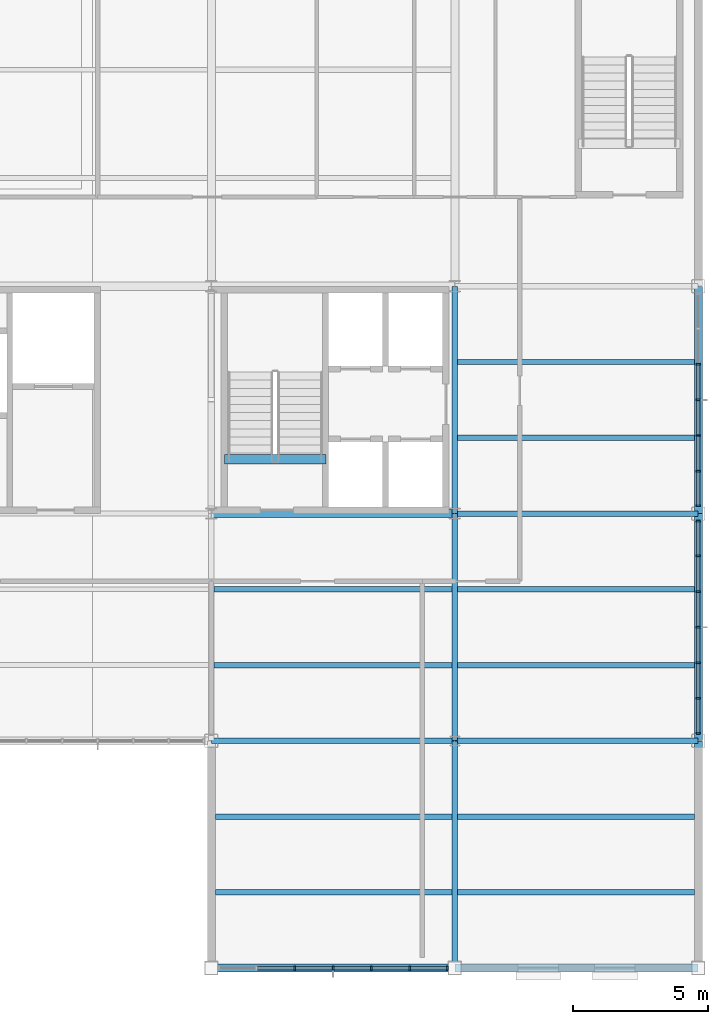
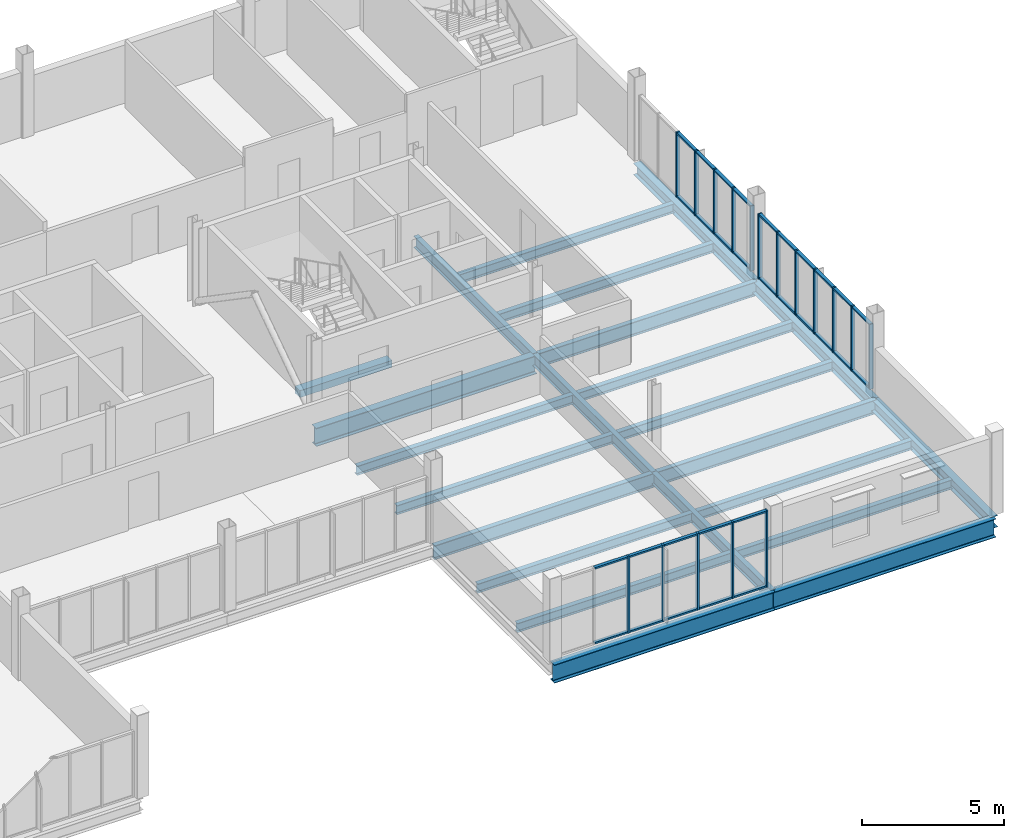
# One storey, part 8 of 19: 47 members, 23 beams, 3 elements without a shape of their own.
"""IFC4 building model written with IfcOpenShell, lengths in metres."""

from ifc_helpers import new_model, si_unit, direction, frame, origin, origin_2d, place, context, subcontext, project, spatial, rectangle, i_section, extrude, material, layer, layer_set, material_profile, profile_set, type_object, element, aggregate, save


model = new_model("IFC4")

# Units and contexts
model_context = context("Model", 3, precision=1e-05, world=origin(), true_north=direction((0.0, 1.0)))
body_context = subcontext(model_context, "Body", "Model", "MODEL_VIEW")
ifc_project = project(units=[si_unit("LENGTHUNIT", "METRE"), si_unit("AREAUNIT", "SQUARE_METRE"), si_unit("VOLUMEUNIT", "CUBIC_METRE"), si_unit("PLANEANGLEUNIT", "RADIAN"), si_unit("MASSUNIT", "GRAM", prefix="KILO")], contexts=[model_context])

# Site, building, storey
site_placement = place(None, origin())
site = spatial("IfcSite", under=ifc_project, at=site_placement, CompositionType="ELEMENT")
building_placement = place(site_placement, origin())
building = spatial("IfcBuilding", under=site, at=building_placement, Name="Yukiwa Park Conservatory and Herbarium", CompositionType="ELEMENT")
storey_placement = place(building_placement, frame((0.0, 0.0, 31.800048828125)))
storey = spatial("IfcBuildingStorey", under=building, at=storey_placement, Name="L08", CompositionType="ELEMENT", Elevation=31.800048828125)

# Beams
ifc_material_1 = material(Name="Steel Q355D", Category="steel")
ifc_material_profile_1 = material_profile(ifc_material_1, i_section(OverallWidth=0.199951171875, OverallDepth=0.5, WebThickness=0.010009765625, FlangeThickness=0.01611328125, FilletRadius=0.02001953125, at=origin_2d()), Name="HN 500x200x10x16")
ifc_profile_set_1 = profile_set([ifc_material_profile_1], Name="Steel Q355D")
beam_type_1 = type_object("IfcBeamType", Name="BM-GRD-HN500", PredefinedType="BEAM", material=ifc_profile_set_1)
for number, where, z_axis, x_axis, name in (
    (1, (159.0, 78.006103515625, -0.498046875), (0.0, 1.0, 0.0), (-1.0, 0.0, 0.0), "L08 grid girder Y-43"),
    (2, (159.0, 86.406005859375, -0.498046875), (0.0, 1.0, 0.0), (-1.0, 0.0, 0.0), "L08 grid girder Y-44"),
):
    element("IfcBeam", number, at=place(storey_placement, frame(where, z_axis=z_axis, x_axis=x_axis)), inside=storey, type_object=beam_type_1, Name=name, PredefinedType="BEAM", context=body_context, shape_type="SweptSolid", body=[
        extrude(i_section(OverallWidth=0.199951171875, OverallDepth=0.5, WebThickness=0.010009765625, FlangeThickness=0.01611328125, FilletRadius=0.02001953125, at=origin_2d()), origin(), (0.0, 0.0, 1.0), 8.387939453125),
    ])
beam_1_placement = place(storey_placement, frame((159.0, 94.805908203125, -0.498046875), z_axis=(0.0, 1.0, 0.0), x_axis=(-1.0, 0.0, 0.0)))
element("IfcBeam", 3, at=beam_1_placement, inside=storey, type_object=beam_type_1, Name="L08 grid girder Y-45", PredefinedType="BEAM", context=body_context, shape_type="SweptSolid", body=[
    extrude(i_section(OverallWidth=0.199951171875, OverallDepth=0.5, WebThickness=0.010009765625, FlangeThickness=0.01611328125, FilletRadius=0.02001953125, at=origin_2d()), origin(), (0.0, 0.0, 1.0), 8.38818359375),
])
ifc_material_2 = material(Name="Steel Q355D", Category="steel")
ifc_material_profile_2 = material_profile(ifc_material_2, i_section(OverallWidth=0.199951171875, OverallDepth=0.60009765625, WebThickness=0.010986328125, FlangeThickness=0.01708984375, FilletRadius=0.02197265625, at=origin_2d()), Name="HN 600x200x11x17")
ifc_profile_set_2 = profile_set([ifc_material_profile_2], Name="Steel Q355D")
beam_type_2 = type_object("IfcBeamType", Name="BM-GRD-HN600", PredefinedType="BEAM", material=ifc_profile_set_2)
for number, where, z_axis, x_axis, name in (
    (4, (150.006103515625, 86.39990234375, -0.548095703125), (1.0, 0.0, 0.0), (0.0, 1.0, 0.0), "L08 grid beam X-8"),
    (5, (159.006103515625, 86.39990234375, -0.548095703125), (1.0, 0.0, 0.0), (0.0, 1.0, 0.0), "L08 grid beam X-9"),
    (6, (159.006103515625, 94.800048828125, -0.548095703125), (1.0, 0.0, 0.0), (0.0, 1.0, 0.0), "L08 grid beam X-15"),
):
    element("IfcBeam", number, at=place(storey_placement, frame(where, z_axis=z_axis, x_axis=x_axis)), inside=storey, type_object=beam_type_2, Name=name, PredefinedType="BEAM", context=body_context, shape_type="SweptSolid", body=[
        extrude(i_section(OverallWidth=0.199951171875, OverallDepth=0.60009765625, WebThickness=0.010986328125, FlangeThickness=0.01708984375, FilletRadius=0.02197265625, at=origin_2d()), origin(), (0.0, 0.0, 1.0), 8.98779296875),
    ])
ifc_material_3 = material(Name="Steel Q355D", Category="steel")
ifc_material_profile_3 = material_profile(ifc_material_3, i_section(OverallWidth=0.198974609375, OverallDepth=0.39599609375, WebThickness=0.007080078125, FlangeThickness=0.010986328125, FilletRadius=0.01611328125, at=origin_2d()), Name="HN 396x199x7x11")
ifc_profile_set_3 = profile_set([ifc_material_profile_3], Name="Steel Q355D")
beam_type_3 = type_object("IfcBeamType", Name="BM-JST-HN396", PredefinedType="JOIST", material=ifc_profile_set_3)
for number, where, z_axis, x_axis, name in (
    (7, (150.14599609375, 80.800048828125, -0.446044921875), (1.0, 0.0, 0.0), (0.0, 1.0, 0.0), "L08 composite floor joist 17"),
    (8, (150.14599609375, 83.60009765625, -0.446044921875), (1.0, 0.0, 0.0), (0.0, 1.0, 0.0), "L08 composite floor joist 18"),
):
    element("IfcBeam", number, at=place(storey_placement, frame(where, z_axis=z_axis, x_axis=x_axis)), inside=storey, type_object=beam_type_3, Name=name, PredefinedType="JOIST", context=body_context, shape_type="SweptSolid", body=[
        extrude(i_section(OverallWidth=0.198974609375, OverallDepth=0.39599609375, WebThickness=0.007080078125, FlangeThickness=0.010986328125, FilletRadius=0.01611328125, at=origin_2d()), origin(), (0.0, 0.0, 1.0), 8.758056640625),
    ])
for number, where, z_axis, x_axis, name in (
    (9, (150.095947265625, 89.199951171875, -0.446044921875), (1.0, 0.0, 0.0), (0.0, 1.0, 0.0), "L08 composite floor joist 19"),
    (10, (150.095947265625, 92.0, -0.446044921875), (1.0, 0.0, 0.0), (0.0, 1.0, 0.0), "L08 composite floor joist 20"),
):
    element("IfcBeam", number, at=place(storey_placement, frame(where, z_axis=z_axis, x_axis=x_axis)), inside=storey, type_object=beam_type_3, Name=name, PredefinedType="JOIST", context=body_context, shape_type="SweptSolid", body=[
        extrude(i_section(OverallWidth=0.198974609375, OverallDepth=0.39599609375, WebThickness=0.007080078125, FlangeThickness=0.010986328125, FilletRadius=0.01611328125, at=origin_2d()), origin(), (0.0, 0.0, 1.0), 8.80810546875),
    ])
for number, where, z_axis, x_axis, name in (
    (11, (159.095947265625, 80.800048828125, -0.446044921875), (1.0, 0.0, 0.0), (0.0, 1.0, 0.0), "L08 composite floor joist 23"),
    (12, (159.095947265625, 83.60009765625, -0.446044921875), (1.0, 0.0, 0.0), (0.0, 1.0, 0.0), "L08 composite floor joist 24"),
    (13, (159.095947265625, 89.199951171875, -0.446044921875), (1.0, 0.0, 0.0), (0.0, 1.0, 0.0), "L08 composite floor joist 25"),
    (14, (159.095947265625, 92.0, -0.446044921875), (1.0, 0.0, 0.0), (0.0, 1.0, 0.0), "L08 composite floor joist 26"),
    (15, (159.095947265625, 97.60009765625, -0.446044921875), (1.0, 0.0, 0.0), (0.0, 1.0, 0.0), "L08 composite floor joist 27"),
    (16, (159.095947265625, 100.39990234375, -0.446044921875), (1.0, 0.0, 0.0), (0.0, 1.0, 0.0), "L08 composite floor joist 28"),
):
    element("IfcBeam", number, at=place(storey_placement, frame(where, z_axis=z_axis, x_axis=x_axis)), inside=storey, type_object=beam_type_3, Name=name, PredefinedType="JOIST", context=body_context, shape_type="SweptSolid", body=[
        extrude(i_section(OverallWidth=0.198974609375, OverallDepth=0.39599609375, WebThickness=0.007080078125, FlangeThickness=0.010986328125, FilletRadius=0.01611328125, at=origin_2d()), origin(), (0.0, 0.0, 1.0), 8.758056640625),
    ])
ifc_material_4 = material(Name="Steel Q355D", Category="steel")
ifc_material_profile_4 = material_profile(ifc_material_4, i_section(OverallWidth=0.300048828125, OverallDepth=0.5, WebThickness=0.010986328125, FlangeThickness=0.01806640625, FilletRadius=0.02392578125, at=origin_2d()), Name="HM 500x300x11x18")
ifc_profile_set_4 = profile_set([ifc_material_profile_4], Name="Steel Q355D")
beam_type_4 = type_object("IfcBeamType", Name="BM-SPN-HN500", PredefinedType="SPANDREL", material=ifc_profile_set_4)
for number, where, z_axis, x_axis, name in (
    (17, (168.0, 78.006103515625, -0.498046875), (0.0, 1.0, 0.0), (-1.0, 0.0, 0.0), "L08 spandrel girder Y-47"),
    (18, (168.0, 86.406005859375, -0.498046875), (0.0, 1.0, 0.0), (-1.0, 0.0, 0.0), "L08 spandrel girder Y-48"),
):
    element("IfcBeam", number, at=place(storey_placement, frame(where, z_axis=z_axis, x_axis=x_axis)), inside=storey, type_object=beam_type_4, Name=name, PredefinedType="SPANDREL", context=body_context, shape_type="SweptSolid", body=[
        extrude(i_section(OverallWidth=0.300048828125, OverallDepth=0.5, WebThickness=0.010986328125, FlangeThickness=0.01806640625, FilletRadius=0.02392578125, at=origin_2d()), origin(), (0.0, 0.0, 1.0), 8.387939453125),
    ])
beam_2_placement = place(storey_placement, frame((168.0, 94.805908203125, -0.498046875), z_axis=(0.0, 1.0, 0.0), x_axis=(-1.0, 0.0, 0.0)))
element("IfcBeam", 19, at=beam_2_placement, inside=storey, type_object=beam_type_4, Name="L08 spandrel girder Y-49", PredefinedType="SPANDREL", context=body_context, shape_type="SweptSolid", body=[
    extrude(i_section(OverallWidth=0.300048828125, OverallDepth=0.5, WebThickness=0.010986328125, FlangeThickness=0.01806640625, FilletRadius=0.02392578125, at=origin_2d()), origin(), (0.0, 0.0, 1.0), 8.38818359375),
])
ifc_material_5 = material(Name="Steel Q355D", Category="steel")
ifc_material_profile_5 = material_profile(ifc_material_5, i_section(OverallWidth=0.300048828125, OverallDepth=0.7919921875, WebThickness=0.013916015625, FlangeThickness=0.02197265625, FilletRadius=0.028076171875, at=origin_2d()), Name="HN 792x300x14x22")
ifc_profile_set_5 = profile_set([ifc_material_profile_5], Name="Steel Q355D")
beam_type_5 = type_object("IfcBeamType", Name="BM-SPN-HN600", PredefinedType="SPANDREL", material=ifc_profile_set_5)
for number, where, z_axis, x_axis, name in (
    (20, (150.006103515625, 78.0, -0.64404296875), (1.0, 0.0, 0.0), (0.0, 1.0, 0.0), "L08 spandrel beam X-2"),
    (21, (159.006103515625, 78.0, -0.64404296875), (1.0, 0.0, 0.0), (0.0, 1.0, 0.0), "L08 spandrel beam X-3"),
    (22, (150.006103515625, 94.800048828125, -0.64404296875), (1.0, 0.0, 0.0), (0.0, 1.0, 0.0), "L08 spandrel beam X-14"),
):
    element("IfcBeam", number, at=place(storey_placement, frame(where, z_axis=z_axis, x_axis=x_axis)), inside=storey, type_object=beam_type_5, Name=name, PredefinedType="SPANDREL", context=body_context, shape_type="SweptSolid", body=[
        extrude(i_section(OverallWidth=0.300048828125, OverallDepth=0.7919921875, WebThickness=0.013916015625, FlangeThickness=0.02197265625, FilletRadius=0.028076171875, at=origin_2d()), origin(), (0.0, 0.0, 1.0), 8.98779296875),
    ])
ifc_material_6 = material(Name="Concrete C40", Category="concrete")
ifc_material_profile_6 = material_profile(ifc_material_6, rectangle(XDim=0.35009765625, YDim=0.300048828125, at=origin_2d()), Name="RC 350x300")
ifc_profile_set_6 = profile_set([ifc_material_profile_6], Name="Concrete C40")
beam_type_6 = type_object("IfcBeamType", Name="BM-STAIR-TRIM", PredefinedType="BEAM", material=ifc_profile_set_6)
beam_3_placement = place(storey_placement, frame((150.47998046875, 96.81005859375, -0.150146484375), z_axis=(1.0, 0.0, 0.0), x_axis=(0.0, 1.0, 0.0)))
element("IfcBeam", 23, at=beam_3_placement, inside=storey, type_object=beam_type_6, Name="Stair ST-T2 L08 landing trimmer beam", PredefinedType="BEAM", context=body_context, shape_type="SweptSolid", body=[
    extrude(rectangle(XDim=0.35009765625, YDim=0.300048828125, at=origin_2d()), origin(), (0.0, 0.0, 1.0), 3.75),
])

# Curtain wall, members
ifc_material_7 = material(Name="Triple Low-E Insulated Glass", Category="glass")
ifc_layer_1 = layer(ifc_material_7, 0.248046875)
ifc_layer_set_1 = layer_set([ifc_layer_1], Name="Triple Low-E Insulated Glass")
curtain_wall_type_1 = type_object("IfcCurtainWallType", Name="CW-TOWER-LAB-S-1400", PredefinedType="NOTDEFINED", material=ifc_layer_set_1)
curtain_wall_1_placement = place(storey_placement, origin())
curtain_wall_1 = element("IfcCurtainWall", 24, at=curtain_wall_1_placement, inside=storey, type_object=curtain_wall_type_1, Name="L08 unitised curtain wall CW-L08-096", PredefinedType="NOTDEFINED")
ifc_material_8 = material(Name="Anodised Aluminium", Category="aluminium")
member_type_1 = type_object("IfcMemberType", Name="MB-CW-MUL-70X150", PredefinedType="MULLION", material=ifc_material_8)
member_1_placement = place(storey_placement, frame((153.083251953125, 78.0, 0.0), z_axis=(0.0, 0.0, 1.0), x_axis=(1.0, 0.0, 0.0)))
member_1 = element("IfcMember", 25, at=member_1_placement, type_object=member_type_1, Name="CW-L08-096 mullion 3", PredefinedType="MULLION", context=body_context, shape_type="SweptSolid", body=[
    extrude(rectangle(XDim=0.070068359375, YDim=0.14990234375, at=origin_2d()), origin(), (0.0, 0.0, 1.0), 3.294921875),
])
member_2_placement = place(storey_placement, frame((154.5, 78.0, 0.0), z_axis=(0.0, 0.0, 1.0), x_axis=(1.0, 0.0, 0.0)))
member_2 = element("IfcMember", 26, at=member_2_placement, type_object=member_type_1, Name="CW-L08-096 mullion 4", PredefinedType="MULLION", context=body_context, shape_type="SweptSolid", body=[
    extrude(rectangle(XDim=0.070068359375, YDim=0.14990234375, at=origin_2d()), origin(), (0.0, 0.0, 1.0), 3.294921875),
])
member_3_placement = place(storey_placement, frame((155.916748046875, 78.0, 0.0), z_axis=(0.0, 0.0, 1.0), x_axis=(1.0, 0.0, 0.0)))
member_3 = element("IfcMember", 27, at=member_3_placement, type_object=member_type_1, Name="CW-L08-096 mullion 5", PredefinedType="MULLION", context=body_context, shape_type="SweptSolid", body=[
    extrude(rectangle(XDim=0.070068359375, YDim=0.14990234375, at=origin_2d()), origin(), (0.0, 0.0, 1.0), 3.294921875),
])
member_4_placement = place(storey_placement, frame((157.333251953125, 78.0, 0.0), z_axis=(0.0, 0.0, 1.0), x_axis=(1.0, 0.0, 0.0)))
member_4 = element("IfcMember", 28, at=member_4_placement, type_object=member_type_1, Name="CW-L08-096 mullion 6", PredefinedType="MULLION", context=body_context, shape_type="SweptSolid", body=[
    extrude(rectangle(XDim=0.070068359375, YDim=0.14990234375, at=origin_2d()), origin(), (0.0, 0.0, 1.0), 3.294921875),
])
member_5_placement = place(storey_placement, frame((158.715087890625, 78.0, 0.0), z_axis=(0.0, 0.0, 1.0), x_axis=(1.0, 0.0, 0.0)))
member_5 = element("IfcMember", 29, at=member_5_placement, type_object=member_type_1, Name="CW-L08-096 mullion 7", PredefinedType="MULLION", context=body_context, shape_type="SweptSolid", body=[
    extrude(rectangle(XDim=0.070068359375, YDim=0.14990234375, at=origin_2d()), origin(), (0.0, 0.0, 1.0), 3.294921875),
])

ifc_material_9 = material(Name="Triple Low-E Insulated Glass", Category="glass")
ifc_layer_2 = layer(ifc_material_9, 0.22412109375)
ifc_layer_set_2 = layer_set([ifc_layer_2], Name="Triple Low-E Insulated Glass")
curtain_wall_type_2 = type_object("IfcCurtainWallType", Name="CW-TOWER-CORNER-1400", PredefinedType="NOTDEFINED", material=ifc_layer_set_2)
curtain_wall_2_placement = place(storey_placement, origin())
curtain_wall_2 = element("IfcCurtainWall", 30, at=curtain_wall_2_placement, inside=storey, type_object=curtain_wall_type_2, Name="L08 unitised curtain wall CW-L08-097", PredefinedType="NOTDEFINED")
member_6_placement = place(storey_placement, frame((168.0, 86.68505859375, 0.0), z_axis=(0.0, 0.0, 1.0), x_axis=(0.0, 1.0, 0.0)))
member_6 = element("IfcMember", 31, at=member_6_placement, type_object=member_type_1, Name="CW-L08-097 mullion 1", PredefinedType="MULLION", context=body_context, shape_type="SweptSolid", body=[
    extrude(rectangle(XDim=0.070068359375, YDim=0.14990234375, at=origin_2d()), origin(), (0.0, 0.0, 1.0), 2.794921875),
])
member_7_placement = place(storey_placement, frame((168.0, 87.966796875, 0.0), z_axis=(0.0, 0.0, 1.0), x_axis=(0.0, 1.0, 0.0)))
member_7 = element("IfcMember", 32, at=member_7_placement, type_object=member_type_1, Name="CW-L08-097 mullion 2", PredefinedType="MULLION", context=body_context, shape_type="SweptSolid", body=[
    extrude(rectangle(XDim=0.070068359375, YDim=0.14990234375, at=origin_2d()), origin(), (0.0, 0.0, 1.0), 2.794921875),
])
member_8_placement = place(storey_placement, frame((168.0, 89.283203125, 0.0), z_axis=(0.0, 0.0, 1.0), x_axis=(0.0, 1.0, 0.0)))
member_8 = element("IfcMember", 33, at=member_8_placement, type_object=member_type_1, Name="CW-L08-097 mullion 3", PredefinedType="MULLION", context=body_context, shape_type="SweptSolid", body=[
    extrude(rectangle(XDim=0.070068359375, YDim=0.14990234375, at=origin_2d()), origin(), (0.0, 0.0, 1.0), 2.794921875),
])
member_9_placement = place(storey_placement, frame((168.0, 90.60009765625, 0.0), z_axis=(0.0, 0.0, 1.0), x_axis=(0.0, 1.0, 0.0)))
member_9 = element("IfcMember", 34, at=member_9_placement, type_object=member_type_1, Name="CW-L08-097 mullion 4", PredefinedType="MULLION", context=body_context, shape_type="SweptSolid", body=[
    extrude(rectangle(XDim=0.070068359375, YDim=0.14990234375, at=origin_2d()), origin(), (0.0, 0.0, 1.0), 2.794921875),
])
member_10_placement = place(storey_placement, frame((168.0, 91.916748046875, 0.0), z_axis=(0.0, 0.0, 1.0), x_axis=(0.0, 1.0, 0.0)))
member_10 = element("IfcMember", 35, at=member_10_placement, type_object=member_type_1, Name="CW-L08-097 mullion 5", PredefinedType="MULLION", context=body_context, shape_type="SweptSolid", body=[
    extrude(rectangle(XDim=0.070068359375, YDim=0.14990234375, at=origin_2d()), origin(), (0.0, 0.0, 1.0), 2.794921875),
])
member_11_placement = place(storey_placement, frame((168.0, 93.2333984375, 0.0), z_axis=(0.0, 0.0, 1.0), x_axis=(0.0, 1.0, 0.0)))
member_11 = element("IfcMember", 36, at=member_11_placement, type_object=member_type_1, Name="CW-L08-097 mullion 6", PredefinedType="MULLION", context=body_context, shape_type="SweptSolid", body=[
    extrude(rectangle(XDim=0.070068359375, YDim=0.14990234375, at=origin_2d()), origin(), (0.0, 0.0, 1.0), 2.794921875),
])
member_12_placement = place(storey_placement, frame((168.0, 94.514892578125, 0.0), z_axis=(0.0, 0.0, 1.0), x_axis=(0.0, 1.0, 0.0)))
member_12 = element("IfcMember", 37, at=member_12_placement, type_object=member_type_1, Name="CW-L08-097 mullion 7", PredefinedType="MULLION", context=body_context, shape_type="SweptSolid", body=[
    extrude(rectangle(XDim=0.070068359375, YDim=0.14990234375, at=origin_2d()), origin(), (0.0, 0.0, 1.0), 2.794921875),
])

curtain_wall_3_placement = place(storey_placement, origin())
curtain_wall_3 = element("IfcCurtainWall", 38, at=curtain_wall_3_placement, inside=storey, type_object=curtain_wall_type_2, Name="L08 unitised curtain wall CW-L08-098", PredefinedType="NOTDEFINED")
member_13_placement = place(storey_placement, frame((168.0, 95.0849609375, 0.0), z_axis=(0.0, 0.0, 1.0), x_axis=(0.0, 1.0, 0.0)))
member_13 = element("IfcMember", 39, at=member_13_placement, type_object=member_type_1, Name="CW-L08-098 mullion 1", PredefinedType="MULLION", context=body_context, shape_type="SweptSolid", body=[
    extrude(rectangle(XDim=0.070068359375, YDim=0.14990234375, at=origin_2d()), origin(), (0.0, 0.0, 1.0), 2.794921875),
])
member_14_placement = place(storey_placement, frame((168.0, 96.36669921875, 0.0), z_axis=(0.0, 0.0, 1.0), x_axis=(0.0, 1.0, 0.0)))
member_14 = element("IfcMember", 40, at=member_14_placement, type_object=member_type_1, Name="CW-L08-098 mullion 2", PredefinedType="MULLION", context=body_context, shape_type="SweptSolid", body=[
    extrude(rectangle(XDim=0.070068359375, YDim=0.14990234375, at=origin_2d()), origin(), (0.0, 0.0, 1.0), 2.794921875),
])
member_15_placement = place(storey_placement, frame((168.0, 97.683349609375, 0.0), z_axis=(0.0, 0.0, 1.0), x_axis=(0.0, 1.0, 0.0)))
member_15 = element("IfcMember", 41, at=member_15_placement, type_object=member_type_1, Name="CW-L08-098 mullion 3", PredefinedType="MULLION", context=body_context, shape_type="SweptSolid", body=[
    extrude(rectangle(XDim=0.070068359375, YDim=0.14990234375, at=origin_2d()), origin(), (0.0, 0.0, 1.0), 2.794921875),
])
member_16_placement = place(storey_placement, frame((168.0, 99.0, 0.0), z_axis=(0.0, 0.0, 1.0), x_axis=(0.0, 1.0, 0.0)))
member_16 = element("IfcMember", 42, at=member_16_placement, type_object=member_type_1, Name="CW-L08-098 mullion 4", PredefinedType="MULLION", context=body_context, shape_type="SweptSolid", body=[
    extrude(rectangle(XDim=0.070068359375, YDim=0.14990234375, at=origin_2d()), origin(), (0.0, 0.0, 1.0), 2.794921875),
])
member_17_placement = place(storey_placement, frame((168.0, 100.316650390625, 0.0), z_axis=(0.0, 0.0, 1.0), x_axis=(0.0, 1.0, 0.0)))
member_17 = element("IfcMember", 43, at=member_17_placement, type_object=member_type_1, Name="CW-L08-098 mullion 5", PredefinedType="MULLION", context=body_context, shape_type="SweptSolid", body=[
    extrude(rectangle(XDim=0.070068359375, YDim=0.14990234375, at=origin_2d()), origin(), (0.0, 0.0, 1.0), 2.794921875),
])

# Member
ifc_material_10 = material(Name="Anodised Aluminium", Category="aluminium")
member_type_2 = type_object("IfcMemberType", Name="MB-CW-TRN-70X130", PredefinedType="USERDEFINED", material=ifc_material_10)
member_18_placement = place(storey_placement, frame((152.375, 78.0, 0.0), z_axis=(0.0, 0.0, 1.0), x_axis=(1.0, 0.0, 0.0)))
member_18 = element("IfcMember", 44, at=member_18_placement, type_object=member_type_2, Name="CW-L08-096 transom 2.1", ObjectType="TRANSOM", PredefinedType="USERDEFINED", context=body_context, shape_type="SweptSolid", body=[
    extrude(rectangle(XDim=1.3466796875, YDim=0.1298828125, at=origin_2d()), origin(), (0.0, 0.0, 1.0), 0.070068359375),
])

member_19_placement = place(storey_placement, frame((152.375, 78.0, 3.22509765625), z_axis=(0.0, 0.0, 1.0), x_axis=(1.0, 0.0, 0.0)))
member_19 = element("IfcMember", 45, at=member_19_placement, type_object=member_type_2, Name="CW-L08-096 transom 2.2", ObjectType="TRANSOM", PredefinedType="USERDEFINED", context=body_context, shape_type="SweptSolid", body=[
    extrude(rectangle(XDim=1.3466796875, YDim=0.1298828125, at=origin_2d()), origin(), (0.0, 0.0, 1.0), 0.070068359375),
])

member_20_placement = place(storey_placement, frame((153.791748046875, 78.0, 0.0), z_axis=(0.0, 0.0, 1.0), x_axis=(1.0, 0.0, 0.0)))
member_20 = element("IfcMember", 46, at=member_20_placement, type_object=member_type_2, Name="CW-L08-096 transom 3.1", ObjectType="TRANSOM", PredefinedType="USERDEFINED", context=body_context, shape_type="SweptSolid", body=[
    extrude(rectangle(XDim=1.3466796875, YDim=0.1298828125, at=origin_2d()), origin(), (0.0, 0.0, 1.0), 0.070068359375),
])

member_21_placement = place(storey_placement, frame((153.791748046875, 78.0, 3.22509765625), z_axis=(0.0, 0.0, 1.0), x_axis=(1.0, 0.0, 0.0)))
member_21 = element("IfcMember", 47, at=member_21_placement, type_object=member_type_2, Name="CW-L08-096 transom 3.2", ObjectType="TRANSOM", PredefinedType="USERDEFINED", context=body_context, shape_type="SweptSolid", body=[
    extrude(rectangle(XDim=1.3466796875, YDim=0.1298828125, at=origin_2d()), origin(), (0.0, 0.0, 1.0), 0.070068359375),
])

member_22_placement = place(storey_placement, frame((155.208251953125, 78.0, 0.0), z_axis=(0.0, 0.0, 1.0), x_axis=(1.0, 0.0, 0.0)))
member_22 = element("IfcMember", 48, at=member_22_placement, type_object=member_type_2, Name="CW-L08-096 transom 4.1", ObjectType="TRANSOM", PredefinedType="USERDEFINED", context=body_context, shape_type="SweptSolid", body=[
    extrude(rectangle(XDim=1.3466796875, YDim=0.1298828125, at=origin_2d()), origin(), (0.0, 0.0, 1.0), 0.070068359375),
])

member_23_placement = place(storey_placement, frame((155.208251953125, 78.0, 3.22509765625), z_axis=(0.0, 0.0, 1.0), x_axis=(1.0, 0.0, 0.0)))
member_23 = element("IfcMember", 49, at=member_23_placement, type_object=member_type_2, Name="CW-L08-096 transom 4.2", ObjectType="TRANSOM", PredefinedType="USERDEFINED", context=body_context, shape_type="SweptSolid", body=[
    extrude(rectangle(XDim=1.3466796875, YDim=0.1298828125, at=origin_2d()), origin(), (0.0, 0.0, 1.0), 0.070068359375),
])

member_24_placement = place(storey_placement, frame((156.625, 78.0, 0.0), z_axis=(0.0, 0.0, 1.0), x_axis=(1.0, 0.0, 0.0)))
member_24 = element("IfcMember", 50, at=member_24_placement, type_object=member_type_2, Name="CW-L08-096 transom 5.1", ObjectType="TRANSOM", PredefinedType="USERDEFINED", context=body_context, shape_type="SweptSolid", body=[
    extrude(rectangle(XDim=1.3466796875, YDim=0.1298828125, at=origin_2d()), origin(), (0.0, 0.0, 1.0), 0.070068359375),
])

member_25_placement = place(storey_placement, frame((156.625, 78.0, 3.22509765625), z_axis=(0.0, 0.0, 1.0), x_axis=(1.0, 0.0, 0.0)))
member_25 = element("IfcMember", 51, at=member_25_placement, type_object=member_type_2, Name="CW-L08-096 transom 5.2", ObjectType="TRANSOM", PredefinedType="USERDEFINED", context=body_context, shape_type="SweptSolid", body=[
    extrude(rectangle(XDim=1.3466796875, YDim=0.1298828125, at=origin_2d()), origin(), (0.0, 0.0, 1.0), 0.070068359375),
])

member_26_placement = place(storey_placement, frame((158.041748046875, 78.0, 0.0), z_axis=(0.0, 0.0, 1.0), x_axis=(1.0, 0.0, 0.0)))
member_26 = element("IfcMember", 52, at=member_26_placement, type_object=member_type_2, Name="CW-L08-096 transom 6.1", ObjectType="TRANSOM", PredefinedType="USERDEFINED", context=body_context, shape_type="SweptSolid", body=[
    extrude(rectangle(XDim=1.3466796875, YDim=0.1298828125, at=origin_2d()), origin(), (0.0, 0.0, 1.0), 0.070068359375),
])

member_27_placement = place(storey_placement, frame((158.041748046875, 78.0, 3.22509765625), z_axis=(0.0, 0.0, 1.0), x_axis=(1.0, 0.0, 0.0)))
member_27 = element("IfcMember", 53, at=member_27_placement, type_object=member_type_2, Name="CW-L08-096 transom 6.2", ObjectType="TRANSOM", PredefinedType="USERDEFINED", context=body_context, shape_type="SweptSolid", body=[
    extrude(rectangle(XDim=1.3466796875, YDim=0.1298828125, at=origin_2d()), origin(), (0.0, 0.0, 1.0), 0.070068359375),
])

aggregate(curtain_wall_1, [member_1, member_2, member_3, member_4, member_5, member_18, member_19, member_20, member_21, member_22, member_23, member_24, member_25, member_26, member_27])

member_28_placement = place(storey_placement, frame((168.0, 87.308349609375, 0.0), z_axis=(0.0, 0.0, 1.0), x_axis=(0.0, 1.0, 0.0)))
member_28 = element("IfcMember", 54, at=member_28_placement, type_object=member_type_2, Name="CW-L08-097 transom 1.1", ObjectType="TRANSOM", PredefinedType="USERDEFINED", context=body_context, shape_type="SweptSolid", body=[
    extrude(rectangle(XDim=1.24658203125, YDim=0.1298828125, at=origin_2d()), origin(), (0.0, 0.0, 1.0), 0.070068359375),
])

member_29_placement = place(storey_placement, frame((168.0, 87.308349609375, 2.72509765625), z_axis=(0.0, 0.0, 1.0), x_axis=(0.0, 1.0, 0.0)))
member_29 = element("IfcMember", 55, at=member_29_placement, type_object=member_type_2, Name="CW-L08-097 transom 1.2", ObjectType="TRANSOM", PredefinedType="USERDEFINED", context=body_context, shape_type="SweptSolid", body=[
    extrude(rectangle(XDim=1.24658203125, YDim=0.1298828125, at=origin_2d()), origin(), (0.0, 0.0, 1.0), 0.070068359375),
])

member_30_placement = place(storey_placement, frame((168.0, 88.625, 0.0), z_axis=(0.0, 0.0, 1.0), x_axis=(0.0, 1.0, 0.0)))
member_30 = element("IfcMember", 56, at=member_30_placement, type_object=member_type_2, Name="CW-L08-097 transom 2.1", ObjectType="TRANSOM", PredefinedType="USERDEFINED", context=body_context, shape_type="SweptSolid", body=[
    extrude(rectangle(XDim=1.24658203125, YDim=0.1298828125, at=origin_2d()), origin(), (0.0, 0.0, 1.0), 0.070068359375),
])

member_31_placement = place(storey_placement, frame((168.0, 88.625, 2.72509765625), z_axis=(0.0, 0.0, 1.0), x_axis=(0.0, 1.0, 0.0)))
member_31 = element("IfcMember", 57, at=member_31_placement, type_object=member_type_2, Name="CW-L08-097 transom 2.2", ObjectType="TRANSOM", PredefinedType="USERDEFINED", context=body_context, shape_type="SweptSolid", body=[
    extrude(rectangle(XDim=1.24658203125, YDim=0.1298828125, at=origin_2d()), origin(), (0.0, 0.0, 1.0), 0.070068359375),
])

member_32_placement = place(storey_placement, frame((168.0, 89.941650390625, 0.0), z_axis=(0.0, 0.0, 1.0), x_axis=(0.0, 1.0, 0.0)))
member_32 = element("IfcMember", 58, at=member_32_placement, type_object=member_type_2, Name="CW-L08-097 transom 3.1", ObjectType="TRANSOM", PredefinedType="USERDEFINED", context=body_context, shape_type="SweptSolid", body=[
    extrude(rectangle(XDim=1.24658203125, YDim=0.1298828125, at=origin_2d()), origin(), (0.0, 0.0, 1.0), 0.070068359375),
])

member_33_placement = place(storey_placement, frame((168.0, 89.941650390625, 2.72509765625), z_axis=(0.0, 0.0, 1.0), x_axis=(0.0, 1.0, 0.0)))
member_33 = element("IfcMember", 59, at=member_33_placement, type_object=member_type_2, Name="CW-L08-097 transom 3.2", ObjectType="TRANSOM", PredefinedType="USERDEFINED", context=body_context, shape_type="SweptSolid", body=[
    extrude(rectangle(XDim=1.24658203125, YDim=0.1298828125, at=origin_2d()), origin(), (0.0, 0.0, 1.0), 0.070068359375),
])

member_34_placement = place(storey_placement, frame((168.0, 91.25830078125, 0.0), z_axis=(0.0, 0.0, 1.0), x_axis=(0.0, 1.0, 0.0)))
member_34 = element("IfcMember", 60, at=member_34_placement, type_object=member_type_2, Name="CW-L08-097 transom 4.1", ObjectType="TRANSOM", PredefinedType="USERDEFINED", context=body_context, shape_type="SweptSolid", body=[
    extrude(rectangle(XDim=1.24658203125, YDim=0.1298828125, at=origin_2d()), origin(), (0.0, 0.0, 1.0), 0.070068359375),
])

member_35_placement = place(storey_placement, frame((168.0, 91.25830078125, 2.72509765625), z_axis=(0.0, 0.0, 1.0), x_axis=(0.0, 1.0, 0.0)))
member_35 = element("IfcMember", 61, at=member_35_placement, type_object=member_type_2, Name="CW-L08-097 transom 4.2", ObjectType="TRANSOM", PredefinedType="USERDEFINED", context=body_context, shape_type="SweptSolid", body=[
    extrude(rectangle(XDim=1.24658203125, YDim=0.1298828125, at=origin_2d()), origin(), (0.0, 0.0, 1.0), 0.070068359375),
])

member_36_placement = place(storey_placement, frame((168.0, 92.574951171875, 0.0), z_axis=(0.0, 0.0, 1.0), x_axis=(0.0, 1.0, 0.0)))
member_36 = element("IfcMember", 62, at=member_36_placement, type_object=member_type_2, Name="CW-L08-097 transom 5.1", ObjectType="TRANSOM", PredefinedType="USERDEFINED", context=body_context, shape_type="SweptSolid", body=[
    extrude(rectangle(XDim=1.24658203125, YDim=0.1298828125, at=origin_2d()), origin(), (0.0, 0.0, 1.0), 0.070068359375),
])

member_37_placement = place(storey_placement, frame((168.0, 92.574951171875, 2.72509765625), z_axis=(0.0, 0.0, 1.0), x_axis=(0.0, 1.0, 0.0)))
member_37 = element("IfcMember", 63, at=member_37_placement, type_object=member_type_2, Name="CW-L08-097 transom 5.2", ObjectType="TRANSOM", PredefinedType="USERDEFINED", context=body_context, shape_type="SweptSolid", body=[
    extrude(rectangle(XDim=1.24658203125, YDim=0.1298828125, at=origin_2d()), origin(), (0.0, 0.0, 1.0), 0.070068359375),
])

member_38_placement = place(storey_placement, frame((168.0, 93.8916015625, 0.0), z_axis=(0.0, 0.0, 1.0), x_axis=(0.0, 1.0, 0.0)))
member_38 = element("IfcMember", 64, at=member_38_placement, type_object=member_type_2, Name="CW-L08-097 transom 6.1", ObjectType="TRANSOM", PredefinedType="USERDEFINED", context=body_context, shape_type="SweptSolid", body=[
    extrude(rectangle(XDim=1.24658203125, YDim=0.1298828125, at=origin_2d()), origin(), (0.0, 0.0, 1.0), 0.070068359375),
])

member_39_placement = place(storey_placement, frame((168.0, 93.8916015625, 2.72509765625), z_axis=(0.0, 0.0, 1.0), x_axis=(0.0, 1.0, 0.0)))
member_39 = element("IfcMember", 65, at=member_39_placement, type_object=member_type_2, Name="CW-L08-097 transom 6.2", ObjectType="TRANSOM", PredefinedType="USERDEFINED", context=body_context, shape_type="SweptSolid", body=[
    extrude(rectangle(XDim=1.24658203125, YDim=0.1298828125, at=origin_2d()), origin(), (0.0, 0.0, 1.0), 0.070068359375),
])

aggregate(curtain_wall_2, [member_6, member_7, member_8, member_9, member_10, member_11, member_12, member_28, member_29, member_30, member_31, member_32, member_33, member_34, member_35, member_36, member_37, member_38, member_39])

member_40_placement = place(storey_placement, frame((168.0, 95.708251953125, 0.0), z_axis=(0.0, 0.0, 1.0), x_axis=(0.0, 1.0, 0.0)))
member_40 = element("IfcMember", 66, at=member_40_placement, type_object=member_type_2, Name="CW-L08-098 transom 1.1", ObjectType="TRANSOM", PredefinedType="USERDEFINED", context=body_context, shape_type="SweptSolid", body=[
    extrude(rectangle(XDim=1.24658203125, YDim=0.1298828125, at=origin_2d()), origin(), (0.0, 0.0, 1.0), 0.070068359375),
])

member_41_placement = place(storey_placement, frame((168.0, 95.708251953125, 2.72509765625), z_axis=(0.0, 0.0, 1.0), x_axis=(0.0, 1.0, 0.0)))
member_41 = element("IfcMember", 67, at=member_41_placement, type_object=member_type_2, Name="CW-L08-098 transom 1.2", ObjectType="TRANSOM", PredefinedType="USERDEFINED", context=body_context, shape_type="SweptSolid", body=[
    extrude(rectangle(XDim=1.24658203125, YDim=0.1298828125, at=origin_2d()), origin(), (0.0, 0.0, 1.0), 0.070068359375),
])

member_42_placement = place(storey_placement, frame((168.0, 97.02490234375, 0.0), z_axis=(0.0, 0.0, 1.0), x_axis=(0.0, 1.0, 0.0)))
member_42 = element("IfcMember", 68, at=member_42_placement, type_object=member_type_2, Name="CW-L08-098 transom 2.1", ObjectType="TRANSOM", PredefinedType="USERDEFINED", context=body_context, shape_type="SweptSolid", body=[
    extrude(rectangle(XDim=1.24658203125, YDim=0.1298828125, at=origin_2d()), origin(), (0.0, 0.0, 1.0), 0.070068359375),
])

member_43_placement = place(storey_placement, frame((168.0, 97.02490234375, 2.72509765625), z_axis=(0.0, 0.0, 1.0), x_axis=(0.0, 1.0, 0.0)))
member_43 = element("IfcMember", 69, at=member_43_placement, type_object=member_type_2, Name="CW-L08-098 transom 2.2", ObjectType="TRANSOM", PredefinedType="USERDEFINED", context=body_context, shape_type="SweptSolid", body=[
    extrude(rectangle(XDim=1.24658203125, YDim=0.1298828125, at=origin_2d()), origin(), (0.0, 0.0, 1.0), 0.070068359375),
])

member_44_placement = place(storey_placement, frame((168.0, 98.341796875, 0.0), z_axis=(0.0, 0.0, 1.0), x_axis=(0.0, 1.0, 0.0)))
member_44 = element("IfcMember", 70, at=member_44_placement, type_object=member_type_2, Name="CW-L08-098 transom 3.1", ObjectType="TRANSOM", PredefinedType="USERDEFINED", context=body_context, shape_type="SweptSolid", body=[
    extrude(rectangle(XDim=1.24658203125, YDim=0.1298828125, at=origin_2d()), origin(), (0.0, 0.0, 1.0), 0.070068359375),
])

member_45_placement = place(storey_placement, frame((168.0, 98.341796875, 2.72509765625), z_axis=(0.0, 0.0, 1.0), x_axis=(0.0, 1.0, 0.0)))
member_45 = element("IfcMember", 71, at=member_45_placement, type_object=member_type_2, Name="CW-L08-098 transom 3.2", ObjectType="TRANSOM", PredefinedType="USERDEFINED", context=body_context, shape_type="SweptSolid", body=[
    extrude(rectangle(XDim=1.24658203125, YDim=0.1298828125, at=origin_2d()), origin(), (0.0, 0.0, 1.0), 0.070068359375),
])

member_46_placement = place(storey_placement, frame((168.0, 99.658203125, 0.0), z_axis=(0.0, 0.0, 1.0), x_axis=(0.0, 1.0, 0.0)))
member_46 = element("IfcMember", 72, at=member_46_placement, type_object=member_type_2, Name="CW-L08-098 transom 4.1", ObjectType="TRANSOM", PredefinedType="USERDEFINED", context=body_context, shape_type="SweptSolid", body=[
    extrude(rectangle(XDim=1.24658203125, YDim=0.1298828125, at=origin_2d()), origin(), (0.0, 0.0, 1.0), 0.070068359375),
])

member_47_placement = place(storey_placement, frame((168.0, 99.658203125, 2.72509765625), z_axis=(0.0, 0.0, 1.0), x_axis=(0.0, 1.0, 0.0)))
member_47 = element("IfcMember", 73, at=member_47_placement, type_object=member_type_2, Name="CW-L08-098 transom 4.2", ObjectType="TRANSOM", PredefinedType="USERDEFINED", context=body_context, shape_type="SweptSolid", body=[
    extrude(rectangle(XDim=1.24658203125, YDim=0.1298828125, at=origin_2d()), origin(), (0.0, 0.0, 1.0), 0.070068359375),
])

aggregate(curtain_wall_3, [member_13, member_14, member_15, member_16, member_17, member_40, member_41, member_42, member_43, member_44, member_45, member_46, member_47])

save(model, "model.ifc")
